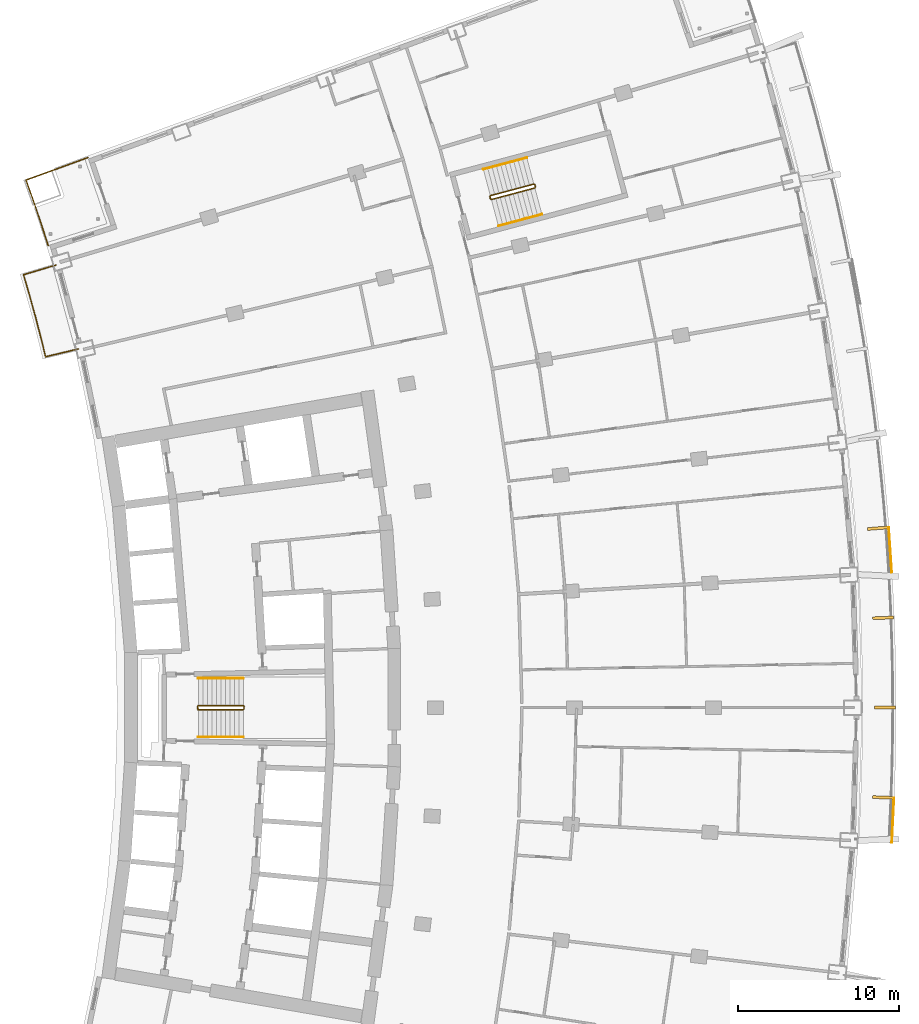
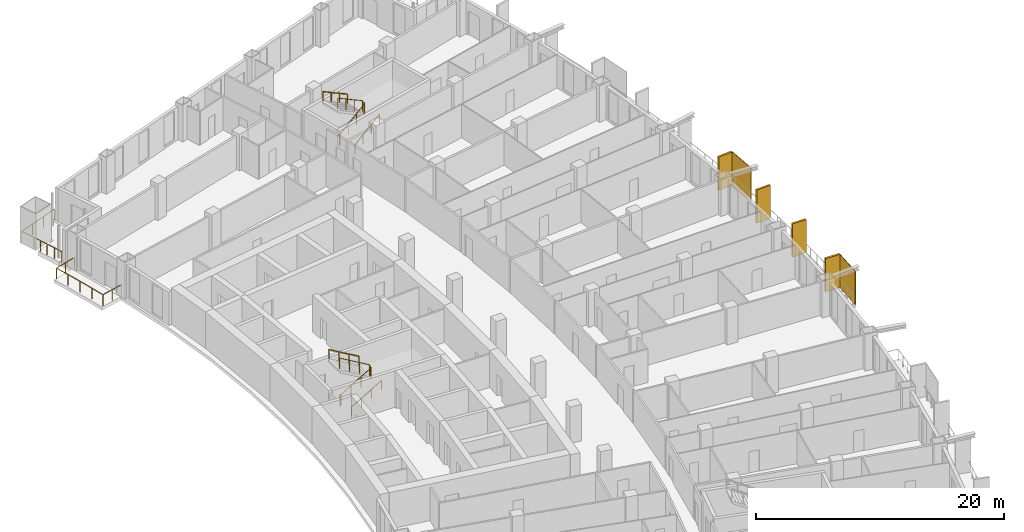
# One storey, part 24 of 25: 8 railings, 6 shading devices.
"""IFC4 building model written with IfcOpenShell, lengths in metres."""

from ifc_helpers import new_model, si_unit, direction, frame, origin, origin_with_axes, origin_2d, place, context, subcontext, project, spatial, rectangle, extrude, material, layer, layer_set, type_object, element, save


model = new_model("IFC4")

# Units and contexts
model_context = context("Model", 3, precision=1e-05, world=origin(), true_north=direction((0.0, 1.0)))
body_context = subcontext(model_context, "Body", "Model", "MODEL_VIEW")
ifc_project = project(units=[si_unit("LENGTHUNIT", "METRE"), si_unit("AREAUNIT", "SQUARE_METRE"), si_unit("VOLUMEUNIT", "CUBIC_METRE"), si_unit("PLANEANGLEUNIT", "RADIAN"), si_unit("MASSUNIT", "GRAM", prefix="KILO")], contexts=[model_context])

# Site, building, storey
site_placement = place(None, origin())
site = spatial("IfcSite", under=ifc_project, at=site_placement, CompositionType="ELEMENT")
building_placement = place(site_placement, origin())
building = spatial("IfcBuilding", under=site, at=building_placement, Name="Alderwake Tower", CompositionType="ELEMENT")
storey_placement = place(building_placement, frame((0.0, 0.0, 86.0)))
storey = spatial("IfcBuildingStorey", under=building, at=storey_placement, Name="L20", CompositionType="ELEMENT", Elevation=86.0)

# Railings
ifc_material_1 = material(Name="Stainless steel 316 rail and posts", Category="steel")
railing_type_1 = type_object("IfcRailingType", Name="Balcony guard 1100", PredefinedType="GUARDRAIL", material=ifc_material_1)
railing_1_placement = place(storey_placement, frame((13.5693359375, 83.343017578125, 0.0)))
element("IfcRailing", 1, at=railing_1_placement, inside=storey, type_object=railing_type_1, Name="Guard BR11", PredefinedType="GUARDRAIL", context=body_context, shape_type="SweptSolid", body=[
    extrude(rectangle(XDim=0.048095703125, YDim=0.048095703125, at=origin_2d()), frame((0.0, 0.0, 1.076171875), z_axis=(-0.972646310656, -0.232291098337, 0.0), x_axis=(0.232291098337, -0.972646310656, 0.0)), (0.0, 0.0, 1.0), 2.099853515625),
    extrude(rectangle(XDim=0.048095703125, YDim=0.048095703125, at=origin_2d()), frame((-2.04248046875, -0.48779296875, 1.076171875), z_axis=(-0.238877101641, 0.971049808358, 0.0), x_axis=(-0.971049808358, -0.238877101641, 0.0)), (0.0, 0.0, 1.0), 1.2724609375),
    extrude(rectangle(XDim=0.048095703125, YDim=0.048095703125, at=origin_2d()), frame((-2.346435546875, 0.747802734375, 1.076171875), z_axis=(-0.252487086228, 0.967600264204, 0.0), x_axis=(-0.967600264204, -0.252487086228, 0.0)), (0.0, 0.0, 1.0), 1.3720703125),
    extrude(rectangle(XDim=0.048095703125, YDim=0.048095703125, at=origin_2d()), frame((-2.69287109375, 2.075439453125, 1.076171875), z_axis=(-0.266487604617, 0.963838345671, 0.0), x_axis=(-0.963838345671, -0.266487604617, 0.0)), (0.0, 0.0, 1.0), 1.372314453125),
    extrude(rectangle(XDim=0.048095703125, YDim=0.048095703125, at=origin_2d()), frame((-3.05859375, 3.398193359375, 1.076171875), z_axis=(-0.279963157487, 0.960010744966, 0.0), x_axis=(-0.960010744966, -0.279963157487, 0.0)), (0.0, 0.0, 1.0), 1.272216796875),
    extrude(rectangle(XDim=0.048095703125, YDim=0.048095703125, at=origin_2d()), frame((-3.414794921875, 4.61962890625, 1.076171875), z_axis=(0.958091458885, 0.286462486918, 0.0), x_axis=(-0.286462486918, 0.958091458885, 0.0)), (0.0, 0.0, 1.0), 2.099853515625),
    extrude(rectangle(XDim=0.0419921875, YDim=0.0419921875, at=origin_2d()), frame((0.0, 0.0, 0.0), z_axis=(0.0, 0.0, 1.0), x_axis=(-0.972646310656, -0.232291098337, 0.0)), (0.0, 0.0, 1.0), 1.052001953125),
    extrude(rectangle(XDim=0.0419921875, YDim=0.0419921875, at=origin_2d()), frame((-1.021240234375, -0.243896484375, 0.0), z_axis=(0.0, 0.0, 1.0), x_axis=(-0.972646310656, -0.232291098337, 0.0)), (0.0, 0.0, 1.0), 1.052001953125),
    extrude(rectangle(XDim=0.0419921875, YDim=0.0419921875, at=origin_2d()), frame((-2.04248046875, -0.48779296875, 0.0), z_axis=(0.0, 0.0, 1.0), x_axis=(-0.238877101641, 0.971049808358, 0.0)), (0.0, 0.0, 1.0), 1.052001953125),
    extrude(rectangle(XDim=0.0419921875, YDim=0.0419921875, at=origin_2d()), frame((-2.346435546875, 0.747802734375, 0.0), z_axis=(0.0, 0.0, 1.0), x_axis=(-0.252487086228, 0.967600264204, 0.0)), (0.0, 0.0, 1.0), 1.052001953125),
    extrude(rectangle(XDim=0.0419921875, YDim=0.0419921875, at=origin_2d()), frame((-2.69287109375, 2.075439453125, 0.0), z_axis=(0.0, 0.0, 1.0), x_axis=(-0.266487604617, 0.963838345671, 0.0)), (0.0, 0.0, 1.0), 1.052001953125),
    extrude(rectangle(XDim=0.0419921875, YDim=0.0419921875, at=origin_2d()), frame((-3.05859375, 3.398193359375, 0.0), z_axis=(0.0, 0.0, 1.0), x_axis=(-0.279963157487, 0.960010744966, 0.0)), (0.0, 0.0, 1.0), 1.052001953125),
    extrude(rectangle(XDim=0.0419921875, YDim=0.0419921875, at=origin_2d()), frame((-3.414794921875, 4.61962890625, 0.0), z_axis=(0.0, 0.0, 1.0), x_axis=(0.958091458885, 0.286462486918, 0.0)), (0.0, 0.0, 1.0), 1.052001953125),
    extrude(rectangle(XDim=0.0419921875, YDim=0.0419921875, at=origin_2d()), frame((-2.40869140625, 4.92041015625, 0.0), z_axis=(0.0, 0.0, 1.0), x_axis=(0.958091458885, 0.286462486918, 0.0)), (0.0, 0.0, 1.0), 1.052001953125),
    extrude(rectangle(XDim=0.0419921875, YDim=0.0419921875, at=origin_2d()), frame((-1.40283203125, 5.22119140625, 0.0), z_axis=(0.0, 0.0, 1.0), x_axis=(0.958091458885, 0.286462486918, 0.0)), (0.0, 0.0, 1.0), 1.052001953125),
])
railing_2_placement = place(storey_placement, frame((11.688720703125, 89.781982421875, 0.0)))
element("IfcRailing", 2, at=railing_2_placement, inside=storey, type_object=railing_type_1, Name="Guard terrace RN", PredefinedType="GUARDRAIL", context=body_context, shape_type="SweptSolid", body=[
    extrude(rectangle(XDim=0.048095703125, YDim=0.048095703125, at=origin_2d()), frame((0.0, 0.0, 1.076171875), z_axis=(-0.307479326145, 0.951554761426, 0.0), x_axis=(-0.951554761426, -0.307479326145, 0.0)), (0.0, 0.0, 1.0), 1.6015625),
    extrude(rectangle(XDim=0.048095703125, YDim=0.048095703125, at=origin_2d()), frame((-0.492431640625, 1.52392578125, 1.076171875), z_axis=(-0.322283727344, 0.946643121292, 0.0), x_axis=(-0.946643121292, -0.322283727344, 0.0)), (0.0, 0.0, 1.0), 1.4013671875),
    extrude(rectangle(XDim=0.048095703125, YDim=0.048095703125, at=origin_2d()), frame((-0.944091796875, 2.8505859375, 1.076171875), z_axis=(-0.335468607403, 0.942051385778, 0.0), x_axis=(-0.942051385778, -0.335468607403, 0.0)), (0.0, 0.0, 1.0), 1.30126953125),
    extrude(rectangle(XDim=0.048095703125, YDim=0.048095703125, at=origin_2d()), frame((-1.380615234375, 4.076416015625, 1.076171875), z_axis=(0.939708203232, 0.341977327873, 0.0), x_axis=(-0.341977327873, 0.939708203232, 0.0)), (0.0, 0.0, 1.0), 4.10009765625),
    extrude(rectangle(XDim=0.0419921875, YDim=0.0419921875, at=origin_2d()), frame((0.0, 0.0, 0.0), z_axis=(0.0, 0.0, 1.0), x_axis=(-0.307479326145, 0.951554761426, 0.0)), (0.0, 0.0, 1.0), 1.052001953125),
    extrude(rectangle(XDim=0.0419921875, YDim=0.0419921875, at=origin_2d()), frame((-0.24609375, 0.761962890625, 0.0), z_axis=(0.0, 0.0, 1.0), x_axis=(-0.307479326145, 0.951554761426, 0.0)), (0.0, 0.0, 1.0), 1.052001953125),
    extrude(rectangle(XDim=0.0419921875, YDim=0.0419921875, at=origin_2d()), frame((-0.492431640625, 1.52392578125, 0.0), z_axis=(0.0, 0.0, 1.0), x_axis=(-0.322283727344, 0.946643121292, 0.0)), (0.0, 0.0, 1.0), 1.052001953125),
    extrude(rectangle(XDim=0.0419921875, YDim=0.0419921875, at=origin_2d()), frame((-0.71826171875, 2.187255859375, 0.0), z_axis=(0.0, 0.0, 1.0), x_axis=(-0.322283727344, 0.946643121292, 0.0)), (0.0, 0.0, 1.0), 1.052001953125),
    extrude(rectangle(XDim=0.0419921875, YDim=0.0419921875, at=origin_2d()), frame((-0.944091796875, 2.8505859375, 0.0), z_axis=(0.0, 0.0, 1.0), x_axis=(-0.335468607403, 0.942051385778, 0.0)), (0.0, 0.0, 1.0), 1.052001953125),
    extrude(rectangle(XDim=0.0419921875, YDim=0.0419921875, at=origin_2d()), frame((-1.380615234375, 4.076416015625, 0.0), z_axis=(0.0, 0.0, 1.0), x_axis=(0.939708203232, 0.341977327873, 0.0)), (0.0, 0.0, 1.0), 1.052001953125),
    extrude(rectangle(XDim=0.0419921875, YDim=0.0419921875, at=origin_2d()), frame((-0.096435546875, 4.543701171875, 0.0), z_axis=(0.0, 0.0, 1.0), x_axis=(0.939708203232, 0.341977327873, 0.0)), (0.0, 0.0, 1.0), 1.052001953125),
    extrude(rectangle(XDim=0.0419921875, YDim=0.0419921875, at=origin_2d()), frame((1.18798828125, 5.01123046875, 0.0), z_axis=(0.0, 0.0, 1.0), x_axis=(0.939708203232, 0.341977327873, 0.0)), (0.0, 0.0, 1.0), 1.052001953125),
    extrude(rectangle(XDim=0.0419921875, YDim=0.0419921875, at=origin_2d()), frame((2.47216796875, 5.478515625, 0.0), z_axis=(0.0, 0.0, 1.0), x_axis=(0.939708203232, 0.341977327873, 0.0)), (0.0, 0.0, 1.0), 1.052001953125),
])

# Shading devices
ifc_material_2 = material(Name="Bronze anodised aluminium", Category="aluminium")
ifc_layer_1 = layer(ifc_material_2, 0.179931640625)
ifc_layer_set_1 = layer_set([ifc_layer_1], Name="Facade fin 1300")
shading_device_type_1 = type_object("IfcShadingDeviceType", Name="Facade fin 1300", PredefinedType="USERDEFINED", material=ifc_layer_set_1)
for number, where, z_axis, x_axis, name in (
    (3, (63.691162109375, 55.40771484375, 0.0), (0.0, 0.0, 1.0), (0.999243494356, -0.038890088543, 0.0), "Fin"),
    (4, (63.800048828125, 61.0, 0.0), (0.0, 0.0, 1.0), (1.0, 0.0, 0.0), "Fin"),
    (5, (63.691162109375, 66.59228515625, 0.0), (0.0, 0.0, 1.0), (0.999243494356, 0.038890088543, 0.0), "Fin"),
    (6, (63.364990234375, 72.176513671875, 0.0), (0.0, 0.0, 1.0), (0.996975122026, 0.077721335943, 0.0), "Fin"),
):
    element("IfcShadingDevice", number, at=place(storey_placement, frame(where, z_axis=z_axis, x_axis=x_axis)), inside=storey, type_object=shading_device_type_1, Name=name, ObjectType="FIN", PredefinedType="USERDEFINED", context=body_context, shape_type="SweptSolid", body=[
        extrude(rectangle(XDim=1.300048828125, YDim=0.179931640625, at=origin_2d()), origin(), (0.0, 0.0, 1.0), 3.280029296875),
    ])
ifc_material_3 = material(Name="Perforated bronze anodised aluminium", Category="aluminium")
ifc_layer_2 = layer(ifc_material_3, 0.050048828125)
ifc_layer_set_2 = layer_set([ifc_layer_2], Name="Perforated screen panel")
shading_device_type_2 = type_object("IfcShadingDeviceType", Name="Perforated screen panel", PredefinedType="USERDEFINED", material=ifc_layer_set_2)
shading_device_1_placement = place(storey_placement, frame((64.297607421875, 53.981689453125, 0.0), z_axis=(0.0, 0.0, 1.0), x_axis=(0.998819231138, -0.048581308217, 0.0)))
element("IfcShadingDevice", 7, at=shading_device_1_placement, inside=storey, type_object=shading_device_type_2, Name="Screen panel", ObjectType="SCREEN", PredefinedType="USERDEFINED", context=body_context, shape_type="SweptSolid", body=[
    extrude(rectangle(XDim=0.050048828125, YDim=2.802734375, at=origin_2d()), origin(), (0.0, 0.0, 1.0), 3.280029296875),
])
shading_device_2_placement = place(storey_placement, frame((64.1337890625, 70.823486328125, 0.0), z_axis=(0.0, 0.0, 1.0), x_axis=(0.997685465774, 0.067997877779, 0.0)))
element("IfcShadingDevice", 8, at=shading_device_2_placement, inside=storey, type_object=shading_device_type_2, Name="Screen panel", ObjectType="SCREEN", PredefinedType="USERDEFINED", context=body_context, shape_type="SweptSolid", body=[
    extrude(rectangle(XDim=0.050048828125, YDim=2.817138671875, at=origin_2d()), origin(), (0.0, 0.0, 1.0), 3.280029296875),
])

# Railings
ifc_material_4 = material(Name="Stainless steel guard", Category="steel")
railing_type_2 = type_object("IfcRailingType", Name="Stair guard 1100", PredefinedType="GUARDRAIL", material=ifc_material_4)
railing_3_placement = place(storey_placement, frame((20.989990234375, 60.925048828125, 0.0)))
element("IfcRailing", 9, at=railing_3_placement, inside=storey, type_object=railing_type_2, Name="L20 ST-B stair guard 1", PredefinedType="GUARDRAIL", context=body_context, shape_type="SweptSolid", body=[
    extrude(rectangle(XDim=0.048095703125, YDim=0.048095703125, at=origin_2d()), frame((0.0, 0.0, 1.076171875), z_axis=(0.0, 1.0, 0.0), x_axis=(-1.0, 0.0, 0.0)), (0.0, 0.0, 1.0), 0.14990234375),
    extrude(rectangle(XDim=0.048095703125, YDim=0.048095703125, at=origin_2d()), frame((0.0, 0.14990234375, 1.076171875), z_axis=(0.190199549216, -0.759870394187, 0.621627795), x_axis=(0.970072785993, 0.242814311512, 0.0)), (0.0, 0.0, 1.0), 0.26318359375),
    extrude(rectangle(XDim=0.048095703125, YDim=0.048095703125, at=origin_2d()), frame((0.050048828125, -0.050048828125, 1.23974609375), z_axis=(0.863360870873, 0.0, 0.504586966384), x_axis=(0.0, 1.0, 0.0)), (0.0, 0.0, 1.0), 3.2431640625),
    extrude(rectangle(XDim=0.048095703125, YDim=0.048095703125, at=origin_2d()), frame((2.85009765625, -0.050048828125, 2.8759765625), z_axis=(0.705375805398, 0.708833529934, 0.0), x_axis=(-0.708833529934, 0.705375805398, 0.0)), (0.0, 0.0, 1.0), 0.070556640625),
    extrude(rectangle(XDim=0.048095703125, YDim=0.048095703125, at=origin_2d()), frame((2.89990234375, 0.0, 2.8759765625), z_axis=(0.0, 1.0, 0.0), x_axis=(-1.0, 0.0, 0.0)), (0.0, 0.0, 1.0), 0.14990234375),
    extrude(rectangle(XDim=0.048095703125, YDim=0.048095703125, at=origin_2d()), frame((2.89990234375, 0.14990234375, 2.8759765625), z_axis=(-0.279546231943, 0.280916556609, 0.91811752648), x_axis=(-0.708833529934, -0.705375805398, 0.0)), (0.0, 0.0, 1.0), 0.17822265625),
    extrude(rectangle(XDim=0.048095703125, YDim=0.048095703125, at=origin_2d()), frame((2.85009765625, 0.199951171875, 3.03955078125), z_axis=(-0.863360870873, 0.0, 0.504586966384), x_axis=(0.0, -1.0, 0.0)), (0.0, 0.0, 1.0), 3.2431640625),
    extrude(rectangle(XDim=0.0419921875, YDim=0.0419921875, at=origin_2d()), frame((0.0, 0.0, 0.0), z_axis=(0.0, 0.0, 1.0), x_axis=(0.0, 1.0, 0.0)), (0.0, 0.0, 1.0), 1.052001953125),
    extrude(rectangle(XDim=0.0419921875, YDim=0.0419921875, at=origin_2d()), frame((0.0, 0.14990234375, 0.0), z_axis=(0.0, 0.0, 1.0), x_axis=(0.242814311512, -0.970072785993, 0.0)), (0.0, 0.0, 1.0), 1.052001953125),
    extrude(rectangle(XDim=0.0419921875, YDim=0.0419921875, at=origin_2d()), frame((0.050048828125, -0.050048828125, 0.16357421875), z_axis=(0.0, 0.0, 1.0), x_axis=(1.0, 0.0, 0.0)), (0.0, 0.0, 1.0), 1.052001953125),
    extrude(rectangle(XDim=0.0419921875, YDim=0.0419921875, at=origin_2d()), frame((0.9833984375, -0.050048828125, 0.708984375), z_axis=(0.0, 0.0, 1.0), x_axis=(1.0, 0.0, 0.0)), (0.0, 0.0, 1.0), 1.052001953125),
    extrude(rectangle(XDim=0.0419921875, YDim=0.0419921875, at=origin_2d()), frame((1.916748046875, -0.050048828125, 1.254638671875), z_axis=(0.0, 0.0, 1.0), x_axis=(1.0, 0.0, 0.0)), (0.0, 0.0, 1.0), 1.052001953125),
    extrude(rectangle(XDim=0.0419921875, YDim=0.0419921875, at=origin_2d()), frame((2.85009765625, -0.050048828125, 1.800048828125), z_axis=(0.0, 0.0, 1.0), x_axis=(0.705375805398, 0.708833529934, 0.0)), (0.0, 0.0, 1.0), 1.052001953125),
    extrude(rectangle(XDim=0.0419921875, YDim=0.0419921875, at=origin_2d()), frame((2.89990234375, 0.0, 1.800048828125), z_axis=(0.0, 0.0, 1.0), x_axis=(0.0, 1.0, 0.0)), (0.0, 0.0, 1.0), 1.052001953125),
    extrude(rectangle(XDim=0.0419921875, YDim=0.0419921875, at=origin_2d()), frame((2.89990234375, 0.14990234375, 1.800048828125), z_axis=(0.0, 0.0, 1.0), x_axis=(-0.705375805398, 0.708833529934, 0.0)), (0.0, 0.0, 1.0), 1.052001953125),
    extrude(rectangle(XDim=0.0419921875, YDim=0.0419921875, at=origin_2d()), frame((2.85009765625, 0.199951171875, 1.963623046875), z_axis=(0.0, 0.0, 1.0), x_axis=(-1.0, 0.0, 0.0)), (0.0, 0.0, 1.0), 1.052001953125),
    extrude(rectangle(XDim=0.0419921875, YDim=0.0419921875, at=origin_2d()), frame((1.916748046875, 0.199951171875, 2.509033203125), z_axis=(0.0, 0.0, 1.0), x_axis=(-1.0, 0.0, 0.0)), (0.0, 0.0, 1.0), 1.052001953125),
    extrude(rectangle(XDim=0.0419921875, YDim=0.0419921875, at=origin_2d()), frame((0.9833984375, 0.199951171875, 3.0546875), z_axis=(0.0, 0.0, 1.0), x_axis=(-1.0, 0.0, 0.0)), (0.0, 0.0, 1.0), 1.052001953125),
    extrude(rectangle(XDim=0.0419921875, YDim=0.0419921875, at=origin_2d()), frame((0.050048828125, 0.199951171875, 3.60009765625), z_axis=(0.0, 0.0, 1.0), x_axis=(-1.0, 0.0, 0.0)), (0.0, 0.0, 1.0), 1.052001953125),
])
railing_4_placement = place(storey_placement, frame((39.23291015625, 92.6806640625, 0.0)))
element("IfcRailing", 10, at=railing_4_placement, inside=storey, type_object=railing_type_2, Name="L20 ST-A stair guard 1", PredefinedType="GUARDRAIL", context=body_context, shape_type="SweptSolid", body=[
    extrude(rectangle(XDim=0.048095703125, YDim=0.048095703125, at=origin_2d()), frame((0.0, 0.0, 1.076171875), z_axis=(-0.257055032184, 0.966396766566, 0.0), x_axis=(-0.966396766566, -0.257055032184, 0.0)), (0.0, 0.0, 1.0), 0.150146484375),
    extrude(rectangle(XDim=0.048095703125, YDim=0.048095703125, at=origin_2d()), frame((-0.03857421875, 0.14501953125, 1.076171875), z_axis=(0.379370725808, -0.685464465458, 0.621463047167), x_axis=(0.874937996095, 0.484234966715, 0.0)), (0.0, 0.0, 1.0), 0.26318359375),
    extrude(rectangle(XDim=0.048095703125, YDim=0.048095703125, at=origin_2d()), frame((0.061279296875, -0.035400390625, 1.23974609375), z_axis=(0.834258940753, 0.22222815314, 0.504605457487), x_axis=(-0.257402139082, 0.966304371715, 0.0)), (0.0, 0.0, 1.0), 3.2431640625),
    extrude(rectangle(XDim=0.048095703125, YDim=0.048095703125, at=origin_2d()), frame((2.766845703125, 0.685302734375, 2.8759765625), z_axis=(0.500220121494, 0.865898279276, 0.0), x_axis=(-0.865898279276, 0.500220121494, 0.0)), (0.0, 0.0, 1.0), 0.07080078125),
    extrude(rectangle(XDim=0.048095703125, YDim=0.048095703125, at=origin_2d()), frame((2.80224609375, 0.74658203125, 2.8759765625), z_axis=(-0.257459803502, 0.966289009345, 0.0), x_axis=(-0.966289009345, -0.257459803502, 0.0)), (0.0, 0.0, 1.0), 0.14990234375),
    extrude(rectangle(XDim=0.048095703125, YDim=0.048095703125, at=origin_2d()), frame((2.763671875, 0.891357421875, 2.8759765625), z_axis=(-0.34252489212, 0.200034536998, 0.917966710881), x_axis=(-0.504300490226, -0.863528236688, 0.0)), (0.0, 0.0, 1.0), 0.17822265625),
    extrude(rectangle(XDim=0.048095703125, YDim=0.048095703125, at=origin_2d()), frame((2.70263671875, 0.927001953125, 3.03955078125), z_axis=(-0.834281824786, -0.222214197128, 0.504573768072), x_axis=(0.257380452725, -0.966310148221, 0.0)), (0.0, 0.0, 1.0), 3.2431640625),
    extrude(rectangle(XDim=0.0419921875, YDim=0.0419921875, at=origin_2d()), frame((0.0, 0.0, 0.0), z_axis=(0.0, 0.0, 1.0), x_axis=(-0.257055032184, 0.966396766566, 0.0)), (0.0, 0.0, 1.0), 1.052001953125),
    extrude(rectangle(XDim=0.0419921875, YDim=0.0419921875, at=origin_2d()), frame((-0.03857421875, 0.14501953125, 0.0), z_axis=(0.0, 0.0, 1.0), x_axis=(0.484234966715, -0.874937996095, 0.0)), (0.0, 0.0, 1.0), 1.052001953125),
    extrude(rectangle(XDim=0.0419921875, YDim=0.0419921875, at=origin_2d()), frame((0.061279296875, -0.035400390625, 0.16357421875), z_axis=(0.0, 0.0, 1.0), x_axis=(0.966304371715, 0.257402139082, 0.0)), (0.0, 0.0, 1.0), 1.052001953125),
    extrude(rectangle(XDim=0.0419921875, YDim=0.0419921875, at=origin_2d()), frame((0.963134765625, 0.204833984375, 0.708984375), z_axis=(0.0, 0.0, 1.0), x_axis=(0.966304371715, 0.257402139082, 0.0)), (0.0, 0.0, 1.0), 1.052001953125),
    extrude(rectangle(XDim=0.0419921875, YDim=0.0419921875, at=origin_2d()), frame((1.864990234375, 0.445068359375, 1.254638671875), z_axis=(0.0, 0.0, 1.0), x_axis=(0.966304371715, 0.257402139082, 0.0)), (0.0, 0.0, 1.0), 1.052001953125),
    extrude(rectangle(XDim=0.0419921875, YDim=0.0419921875, at=origin_2d()), frame((2.766845703125, 0.685302734375, 1.800048828125), z_axis=(0.0, 0.0, 1.0), x_axis=(0.500220121494, 0.865898279276, 0.0)), (0.0, 0.0, 1.0), 1.052001953125),
    extrude(rectangle(XDim=0.0419921875, YDim=0.0419921875, at=origin_2d()), frame((2.80224609375, 0.74658203125, 1.800048828125), z_axis=(0.0, 0.0, 1.0), x_axis=(-0.257459803502, 0.966289009345, 0.0)), (0.0, 0.0, 1.0), 1.052001953125),
    extrude(rectangle(XDim=0.0419921875, YDim=0.0419921875, at=origin_2d()), frame((2.763671875, 0.891357421875, 1.800048828125), z_axis=(0.0, 0.0, 1.0), x_axis=(-0.863528236688, 0.504300490226, 0.0)), (0.0, 0.0, 1.0), 1.052001953125),
    extrude(rectangle(XDim=0.0419921875, YDim=0.0419921875, at=origin_2d()), frame((2.70263671875, 0.927001953125, 1.963623046875), z_axis=(0.0, 0.0, 1.0), x_axis=(-0.966310148221, -0.257380452725, 0.0)), (0.0, 0.0, 1.0), 1.052001953125),
    extrude(rectangle(XDim=0.0419921875, YDim=0.0419921875, at=origin_2d()), frame((1.80078125, 0.686767578125, 2.509033203125), z_axis=(0.0, 0.0, 1.0), x_axis=(-0.966310148221, -0.257380452725, 0.0)), (0.0, 0.0, 1.0), 1.052001953125),
    extrude(rectangle(XDim=0.0419921875, YDim=0.0419921875, at=origin_2d()), frame((0.898681640625, 0.446533203125, 3.0546875), z_axis=(0.0, 0.0, 1.0), x_axis=(-0.966310148221, -0.257380452725, 0.0)), (0.0, 0.0, 1.0), 1.052001953125),
    extrude(rectangle(XDim=0.0419921875, YDim=0.0419921875, at=origin_2d()), frame((-0.003173828125, 0.206298828125, 3.60009765625), z_axis=(0.0, 0.0, 1.0), x_axis=(-0.966310148221, -0.257380452725, 0.0)), (0.0, 0.0, 1.0), 1.052001953125),
])
ifc_material_5 = material(Name="Stainless steel handrail", Category="steel")
railing_type_3 = type_object("IfcRailingType", Name="Stair handrail 900", PredefinedType="HANDRAIL", material=ifc_material_5)
railing_5_placement = place(storey_placement, frame((21.0400390625, 59.175048828125, 0.16357421875)))
element("IfcRailing", 11, at=railing_5_placement, inside=storey, type_object=railing_type_3, Name="L20 ST-B stair handrail 1", PredefinedType="HANDRAIL", context=body_context, shape_type="SweptSolid", body=[
    extrude(rectangle(XDim=0.048095703125, YDim=0.048095703125, at=origin_2d()), frame((0.0, 0.0, 0.8759765625), z_axis=(0.863360870873, 0.0, 0.504586966384), x_axis=(0.0, 1.0, 0.0)), (0.0, 0.0, 1.0), 3.2431640625),
    extrude(rectangle(XDim=0.0419921875, YDim=0.0419921875, at=origin_2d()), origin_with_axes(), (0.0, 0.0, 1.0), 0.851806640625),
    extrude(rectangle(XDim=0.0419921875, YDim=0.0419921875, at=origin_2d()), frame((0.933349609375, 0.0, 0.54541015625), z_axis=(0.0, 0.0, 1.0), x_axis=(1.0, 0.0, 0.0)), (0.0, 0.0, 1.0), 0.851806640625),
    extrude(rectangle(XDim=0.0419921875, YDim=0.0419921875, at=origin_2d()), frame((1.86669921875, 0.0, 1.091064453125), z_axis=(0.0, 0.0, 1.0), x_axis=(1.0, 0.0, 0.0)), (0.0, 0.0, 1.0), 0.851806640625),
    extrude(rectangle(XDim=0.0419921875, YDim=0.0419921875, at=origin_2d()), frame((2.800048828125, 0.0, 1.636474609375), z_axis=(0.0, 0.0, 1.0), x_axis=(1.0, 0.0, 0.0)), (0.0, 0.0, 1.0), 0.851806640625),
])
railing_6_placement = place(storey_placement, frame((23.840087890625, 62.824951171875, 1.963623046875)))
element("IfcRailing", 12, at=railing_6_placement, inside=storey, type_object=railing_type_3, Name="L20 ST-B stair handrail 2", PredefinedType="HANDRAIL", context=body_context, shape_type="SweptSolid", body=[
    extrude(rectangle(XDim=0.048095703125, YDim=0.048095703125, at=origin_2d()), frame((0.0, 0.0, 0.8759765625), z_axis=(-0.863360870873, 0.0, 0.504586966384), x_axis=(0.0, -1.0, 0.0)), (0.0, 0.0, 1.0), 3.2431640625),
    extrude(rectangle(XDim=0.0419921875, YDim=0.0419921875, at=origin_2d()), frame((0.0, 0.0, 0.0), z_axis=(0.0, 0.0, 1.0), x_axis=(-1.0, 0.0, 0.0)), (0.0, 0.0, 1.0), 0.851806640625),
    extrude(rectangle(XDim=0.0419921875, YDim=0.0419921875, at=origin_2d()), frame((-0.933349609375, 0.0, 0.54541015625), z_axis=(0.0, 0.0, 1.0), x_axis=(-1.0, 0.0, 0.0)), (0.0, 0.0, 1.0), 0.851806640625),
    extrude(rectangle(XDim=0.0419921875, YDim=0.0419921875, at=origin_2d()), frame((-1.86669921875, 0.0, 1.091064453125), z_axis=(0.0, 0.0, 1.0), x_axis=(-1.0, 0.0, 0.0)), (0.0, 0.0, 1.0), 0.851806640625),
    extrude(rectangle(XDim=0.0419921875, YDim=0.0419921875, at=origin_2d()), frame((-2.800048828125, 0.0, 1.636474609375), z_axis=(0.0, 0.0, 1.0), x_axis=(-1.0, 0.0, 0.0)), (0.0, 0.0, 1.0), 0.851806640625),
])
railing_7_placement = place(storey_placement, frame((39.731689453125, 91.002685546875, 0.16357421875)))
element("IfcRailing", 13, at=railing_7_placement, inside=storey, type_object=railing_type_3, Name="L20 ST-A stair handrail 1", PredefinedType="HANDRAIL", context=body_context, shape_type="SweptSolid", body=[
    extrude(rectangle(XDim=0.048095703125, YDim=0.048095703125, at=origin_2d()), frame((0.0, 0.0, 0.8759765625), z_axis=(0.834258940753, 0.22222815314, 0.504605457487), x_axis=(-0.257402139082, 0.966304371715, 0.0)), (0.0, 0.0, 1.0), 3.2431640625),
    extrude(rectangle(XDim=0.0419921875, YDim=0.0419921875, at=origin_2d()), frame((0.0, 0.0, 0.0), z_axis=(0.0, 0.0, 1.0), x_axis=(0.966304371715, 0.257402139082, 0.0)), (0.0, 0.0, 1.0), 0.851806640625),
    extrude(rectangle(XDim=0.0419921875, YDim=0.0419921875, at=origin_2d()), frame((0.90185546875, 0.240234375, 0.54541015625), z_axis=(0.0, 0.0, 1.0), x_axis=(0.966304371715, 0.257402139082, 0.0)), (0.0, 0.0, 1.0), 0.851806640625),
    extrude(rectangle(XDim=0.0419921875, YDim=0.0419921875, at=origin_2d()), frame((1.8037109375, 0.48046875, 1.091064453125), z_axis=(0.0, 0.0, 1.0), x_axis=(0.966304371715, 0.257402139082, 0.0)), (0.0, 0.0, 1.0), 0.851806640625),
    extrude(rectangle(XDim=0.0419921875, YDim=0.0419921875, at=origin_2d()), frame((2.70556640625, 0.720703125, 1.636474609375), z_axis=(0.0, 0.0, 1.0), x_axis=(0.966304371715, 0.257402139082, 0.0)), (0.0, 0.0, 1.0), 0.851806640625),
])
railing_8_placement = place(storey_placement, frame((41.497802734375, 95.250244140625, 1.963623046875)))
element("IfcRailing", 14, at=railing_8_placement, inside=storey, type_object=railing_type_3, Name="L20 ST-A stair handrail 2", PredefinedType="HANDRAIL", context=body_context, shape_type="SweptSolid", body=[
    extrude(rectangle(XDim=0.048095703125, YDim=0.048095703125, at=origin_2d()), frame((0.0, 0.0, 0.8759765625), z_axis=(-0.834258940753, -0.22222815314, 0.504605457487), x_axis=(0.257402139082, -0.966304371715, 0.0)), (0.0, 0.0, 1.0), 3.2431640625),
    extrude(rectangle(XDim=0.0419921875, YDim=0.0419921875, at=origin_2d()), frame((0.0, 0.0, 0.0), z_axis=(0.0, 0.0, 1.0), x_axis=(-0.966304371715, -0.257402139082, 0.0)), (0.0, 0.0, 1.0), 0.851806640625),
    extrude(rectangle(XDim=0.0419921875, YDim=0.0419921875, at=origin_2d()), frame((-0.90185546875, -0.240234375, 0.54541015625), z_axis=(0.0, 0.0, 1.0), x_axis=(-0.966304371715, -0.257402139082, 0.0)), (0.0, 0.0, 1.0), 0.851806640625),
    extrude(rectangle(XDim=0.0419921875, YDim=0.0419921875, at=origin_2d()), frame((-1.8037109375, -0.48046875, 1.091064453125), z_axis=(0.0, 0.0, 1.0), x_axis=(-0.966304371715, -0.257402139082, 0.0)), (0.0, 0.0, 1.0), 0.851806640625),
    extrude(rectangle(XDim=0.0419921875, YDim=0.0419921875, at=origin_2d()), frame((-2.70556640625, -0.720703125, 1.636474609375), z_axis=(0.0, 0.0, 1.0), x_axis=(-0.966304371715, -0.257402139082, 0.0)), (0.0, 0.0, 1.0), 0.851806640625),
])

save(model, "model.ifc")
